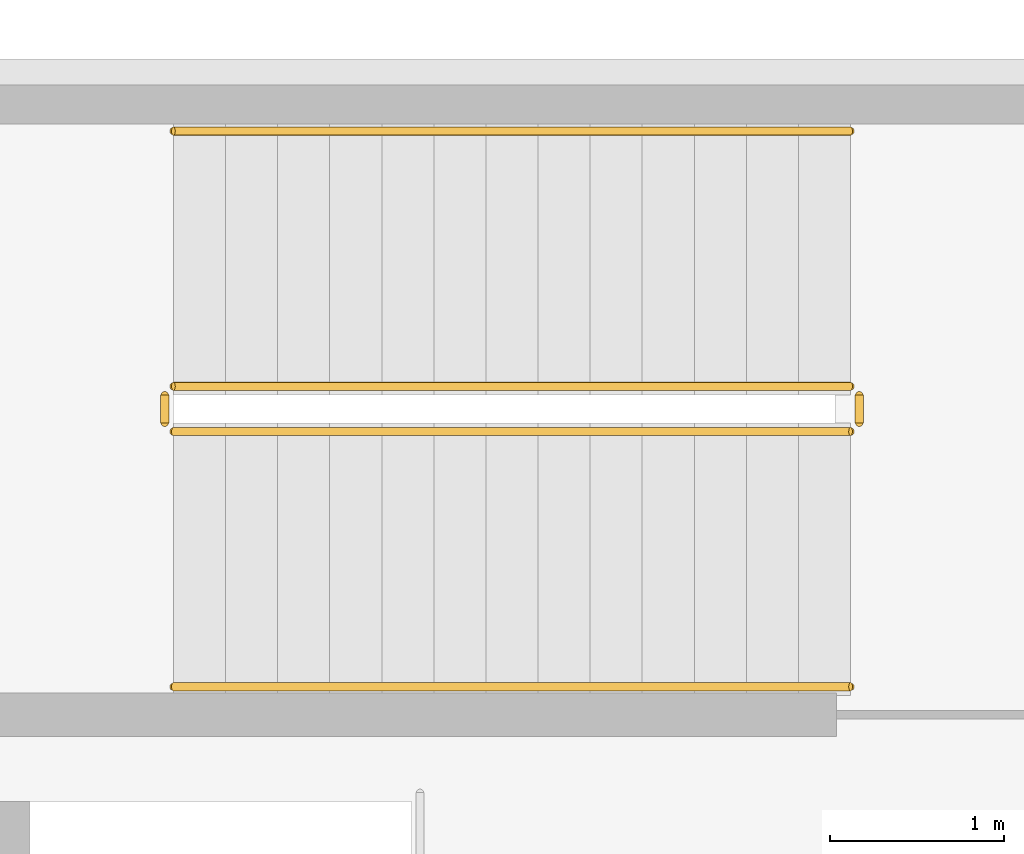
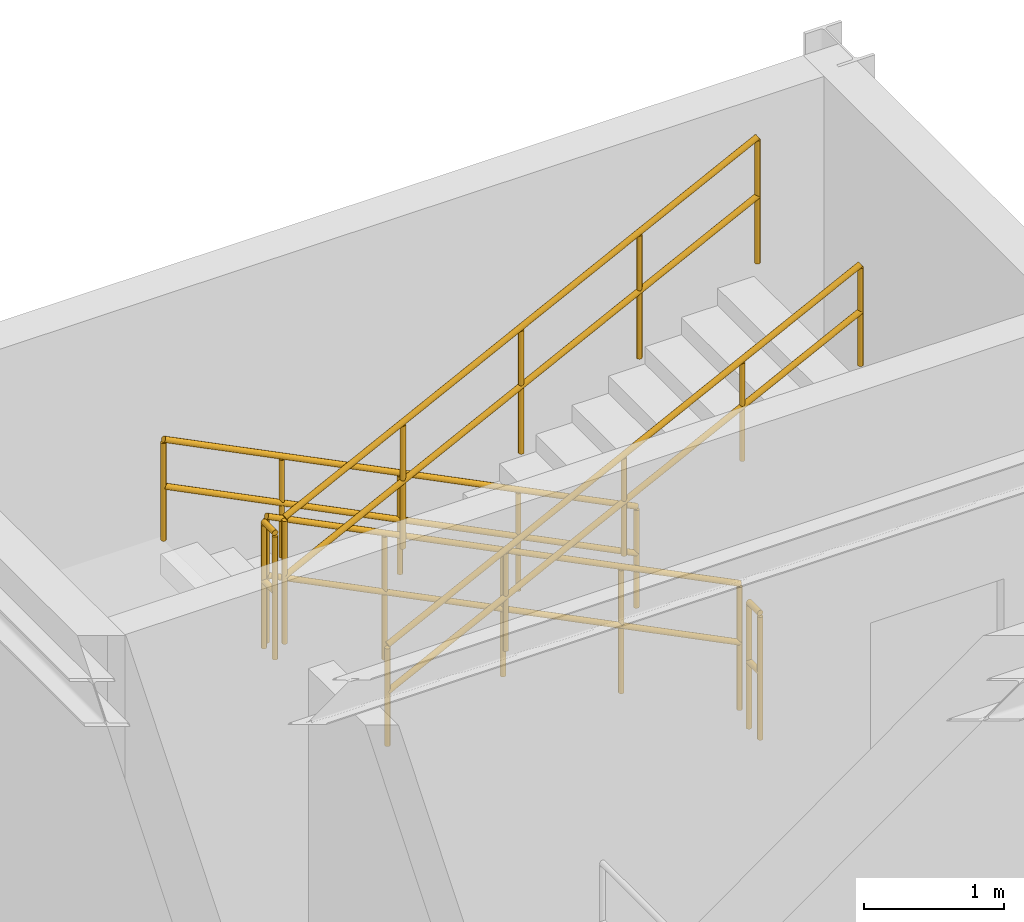
# One storey, part 90 of 90: 6 railings.
"""IFC4 building model written with IfcOpenShell, lengths in metres."""

from ifc_helpers import new_model, si_unit, derived_unit, direction, frame, origin, origin_2d, place, context, subcontext, project, spatial, circle, extrude, material, type_object, element, save


model = new_model("IFC4")

# Units and contexts
model_context = context("Model", 3, precision=1e-05, world=origin(), true_north=direction((0.0, 1.0)))
body_context = subcontext(model_context, "Body", "Model", "MODEL_VIEW")
ifc_project = project(units=[si_unit("LENGTHUNIT", "METRE"), si_unit("AREAUNIT", "SQUARE_METRE"), si_unit("VOLUMEUNIT", "CUBIC_METRE"), si_unit("PLANEANGLEUNIT", "RADIAN"), si_unit("MASSUNIT", "GRAM", prefix="KILO"), derived_unit("THERMALTRANSMITTANCEUNIT", [(si_unit("POWERUNIT", "WATT"), 1), (si_unit("AREAUNIT", "SQUARE_METRE"), -1), (si_unit("THERMODYNAMICTEMPERATUREUNIT", "KELVIN"), -1)])], contexts=[model_context])

# Site, building, storey
site_placement = place(None, origin())
site = spatial("IfcSite", under=ifc_project, at=site_placement, CompositionType="ELEMENT")
building_placement = place(site_placement, origin())
building = spatial("IfcBuilding", under=site, at=building_placement, Name="Yasenodar Specialist Clinic", CompositionType="ELEMENT")
storey_placement = place(building_placement, frame((0.0, 0.0, 9.0)))
storey = spatial("IfcBuildingStorey", under=building, at=storey_placement, Name="L02", CompositionType="ELEMENT", Elevation=9.0)

# Railings
ifc_material_1 = material(Name="Steel S355 Painted Stair Guardrail", Category="steel")
railing_type_1 = type_object("IfcRailingType", Name="RL-ST-GRD", PredefinedType="GUARDRAIL", material=ifc_material_1)
railing_1_placement = place(storey_placement, frame((119.929931640625, 109.7900390625, 0.14990234375)))
element("IfcRailing", 1, at=railing_1_placement, inside=storey, type_object=railing_type_1, Name="L02 ST-05 stair guard 1", PredefinedType="GUARDRAIL", context=body_context, shape_type="SweptSolid", body=[
    extrude(circle(Radius=0.02392578125, at=origin_2d()), frame((0.0, 0.0, 1.09619140625), z_axis=(-0.894404793364, 0.0, 0.447258387967), x_axis=(0.0, -1.0, 0.0)), (0.0, 0.0, 1.0), 4.3603515625),
    extrude(circle(Radius=0.02392578125, at=origin_2d()), frame((0.0, 0.0, 0.58251953125), z_axis=(-0.894404793364, 0.0, 0.447258387967), x_axis=(0.0, -1.0, 0.0)), (0.0, 0.0, 1.0), 4.3603515625),
    extrude(circle(Radius=0.02099609375, at=origin_2d()), origin(), (0.0, 0.0, 1.0), 1.072021484375),
    extrude(circle(Radius=0.02099609375, at=origin_2d()), frame((-0.97509765625, 0.0, 0.487548828125)), (0.0, 0.0, 1.0), 1.072021484375),
    extrude(circle(Radius=0.02099609375, at=origin_2d()), frame((-1.949951171875, 0.0, 0.97509765625)), (0.0, 0.0, 1.0), 1.072021484375),
    extrude(circle(Radius=0.02099609375, at=origin_2d()), frame((-2.9248046875, 0.0, 1.462646484375)), (0.0, 0.0, 1.0), 1.072021484375),
    extrude(circle(Radius=0.02099609375, at=origin_2d()), frame((-3.89990234375, 0.0, 1.9501953125)), (0.0, 0.0, 1.0), 1.072021484375),
])
railing_2_placement = place(storey_placement, frame((115.97998046875, 109.739990234375, 2.10009765625)))
element("IfcRailing", 2, at=railing_2_placement, inside=storey, type_object=railing_type_1, Name="L02 ST-05 stair guard 2", PredefinedType="GUARDRAIL", context=body_context, shape_type="SweptSolid", body=[
    extrude(circle(Radius=0.02392578125, at=origin_2d()), frame((0.0, 0.0, 1.09619140625), z_axis=(0.0, -1.0, 0.0), x_axis=(1.0, 0.0, 0.0)), (0.0, 0.0, 1.0), 0.159912109375),
    extrude(circle(Radius=0.02392578125, at=origin_2d()), frame((0.0, 0.0, 0.58251953125), z_axis=(0.0, -1.0, 0.0), x_axis=(1.0, 0.0, 0.0)), (0.0, 0.0, 1.0), 0.159912109375),
    extrude(circle(Radius=0.02099609375, at=origin_2d()), origin(), (0.0, 0.0, 1.0), 1.072021484375),
    extrude(circle(Radius=0.02099609375, at=origin_2d()), frame((0.0, -0.159912109375, 0.0)), (0.0, 0.0, 1.0), 1.072021484375),
])
railing_3_placement = place(storey_placement, frame((116.030029296875, 109.530029296875, 2.25)))
element("IfcRailing", 3, at=railing_3_placement, inside=storey, type_object=railing_type_1, Name="L02 ST-05 stair guard 3", PredefinedType="GUARDRAIL", context=body_context, shape_type="SweptSolid", body=[
    extrude(circle(Radius=0.02392578125, at=origin_2d()), frame((0.0, 0.0, 1.09619140625), z_axis=(0.894427191, 0.0, 0.4472135955), x_axis=(0.0, 1.0, 0.0)), (0.0, 0.0, 1.0), 4.360107421875),
    extrude(circle(Radius=0.02392578125, at=origin_2d()), frame((0.0, 0.0, 0.58251953125), z_axis=(0.894427191, 0.0, 0.4472135955), x_axis=(0.0, 1.0, 0.0)), (0.0, 0.0, 1.0), 4.360107421875),
    extrude(circle(Radius=0.02099609375, at=origin_2d()), origin(), (0.0, 0.0, 1.0), 1.072021484375),
    extrude(circle(Radius=0.02099609375, at=origin_2d()), frame((0.97509765625, 0.0, 0.487548828125)), (0.0, 0.0, 1.0), 1.072021484375),
    extrude(circle(Radius=0.02099609375, at=origin_2d()), frame((1.949951171875, 0.0, 0.97509765625)), (0.0, 0.0, 1.0), 1.072021484375),
    extrude(circle(Radius=0.02099609375, at=origin_2d()), frame((2.9248046875, 0.0, 1.46240234375)), (0.0, 0.0, 1.0), 1.072021484375),
    extrude(circle(Radius=0.02099609375, at=origin_2d()), frame((3.89990234375, 0.0, 1.949951171875)), (0.0, 0.0, 1.0), 1.072021484375),
])
railing_4_placement = place(storey_placement, frame((119.97998046875, 109.739990234375, 0.0)))
element("IfcRailing", 4, at=railing_4_placement, inside=storey, type_object=railing_type_1, Name="L02 ST-05 stair guard 4", PredefinedType="GUARDRAIL", context=body_context, shape_type="SweptSolid", body=[
    extrude(circle(Radius=0.02392578125, at=origin_2d()), frame((0.0, 0.0, 1.09619140625), z_axis=(0.0, -1.0, 0.0), x_axis=(1.0, 0.0, 0.0)), (0.0, 0.0, 1.0), 0.159912109375),
    extrude(circle(Radius=0.02392578125, at=origin_2d()), frame((0.0, 0.0, 0.58251953125), z_axis=(0.0, -1.0, 0.0), x_axis=(1.0, 0.0, 0.0)), (0.0, 0.0, 1.0), 0.159912109375),
    extrude(circle(Radius=0.02099609375, at=origin_2d()), origin(), (0.0, 0.0, 1.0), 1.072021484375),
    extrude(circle(Radius=0.02099609375, at=origin_2d()), frame((0.0, -0.159912109375, 0.0)), (0.0, 0.0, 1.0), 1.072021484375),
])
ifc_material_2 = material(Name="Brushed Stainless Steel Handrail", Category="steel")
railing_type_2 = type_object("IfcRailingType", Name="RL-ST-HND", PredefinedType="HANDRAIL", material=ifc_material_2)
railing_5_placement = place(storey_placement, frame((119.929931640625, 111.260009765625, 0.14990234375)))
element("IfcRailing", 5, at=railing_5_placement, inside=storey, type_object=railing_type_2, Name="L02 ST-05 stair handrail 1", PredefinedType="HANDRAIL", context=body_context, shape_type="SweptSolid", body=[
    extrude(circle(Radius=0.02392578125, at=origin_2d()), frame((0.0, 0.0, 0.8759765625), z_axis=(-0.894404793364, 0.0, 0.447258387967), x_axis=(0.0, -1.0, 0.0)), (0.0, 0.0, 1.0), 4.3603515625),
    extrude(circle(Radius=0.02392578125, at=origin_2d()), frame((0.0, 0.0, 0.468017578125), z_axis=(-0.894404793364, 0.0, 0.447258387967), x_axis=(0.0, -1.0, 0.0)), (0.0, 0.0, 1.0), 4.3603515625),
    extrude(circle(Radius=0.02099609375, at=origin_2d()), origin(), (0.0, 0.0, 1.0), 0.851806640625),
    extrude(circle(Radius=0.02099609375, at=origin_2d()), frame((-0.97509765625, 0.0, 0.487548828125)), (0.0, 0.0, 1.0), 0.851806640625),
    extrude(circle(Radius=0.02099609375, at=origin_2d()), frame((-1.949951171875, 0.0, 0.97509765625)), (0.0, 0.0, 1.0), 0.851806640625),
    extrude(circle(Radius=0.02099609375, at=origin_2d()), frame((-2.9248046875, 0.0, 1.462646484375)), (0.0, 0.0, 1.0), 0.851806640625),
    extrude(circle(Radius=0.02099609375, at=origin_2d()), frame((-3.89990234375, 0.0, 1.9501953125)), (0.0, 0.0, 1.0), 0.851806640625),
])
railing_6_placement = place(storey_placement, frame((116.030029296875, 108.06005859375, 2.25)))
element("IfcRailing", 6, at=railing_6_placement, inside=storey, type_object=railing_type_2, Name="L02 ST-05 stair handrail 2", PredefinedType="HANDRAIL", context=body_context, shape_type="SweptSolid", body=[
    extrude(circle(Radius=0.02392578125, at=origin_2d()), frame((0.0, 0.0, 0.8759765625), z_axis=(0.894427191, 0.0, 0.4472135955), x_axis=(0.0, 1.0, 0.0)), (0.0, 0.0, 1.0), 4.360107421875),
    extrude(circle(Radius=0.02392578125, at=origin_2d()), frame((0.0, 0.0, 0.468017578125), z_axis=(0.894427191, 0.0, 0.4472135955), x_axis=(0.0, 1.0, 0.0)), (0.0, 0.0, 1.0), 4.360107421875),
    extrude(circle(Radius=0.02099609375, at=origin_2d()), origin(), (0.0, 0.0, 1.0), 0.851806640625),
    extrude(circle(Radius=0.02099609375, at=origin_2d()), frame((0.97509765625, 0.0, 0.487548828125)), (0.0, 0.0, 1.0), 0.851806640625),
    extrude(circle(Radius=0.02099609375, at=origin_2d()), frame((1.949951171875, 0.0, 0.97509765625)), (0.0, 0.0, 1.0), 0.851806640625),
    extrude(circle(Radius=0.02099609375, at=origin_2d()), frame((2.9248046875, 0.0, 1.46240234375)), (0.0, 0.0, 1.0), 0.851806640625),
    extrude(circle(Radius=0.02099609375, at=origin_2d()), frame((3.89990234375, 0.0, 1.949951171875)), (0.0, 0.0, 1.0), 0.851806640625),
])

save(model, "model.ifc")
